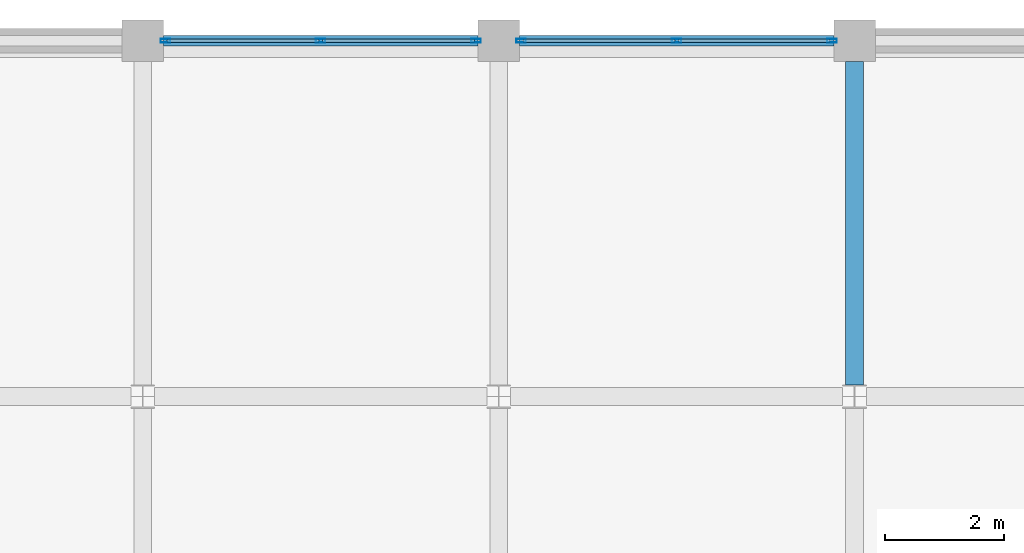
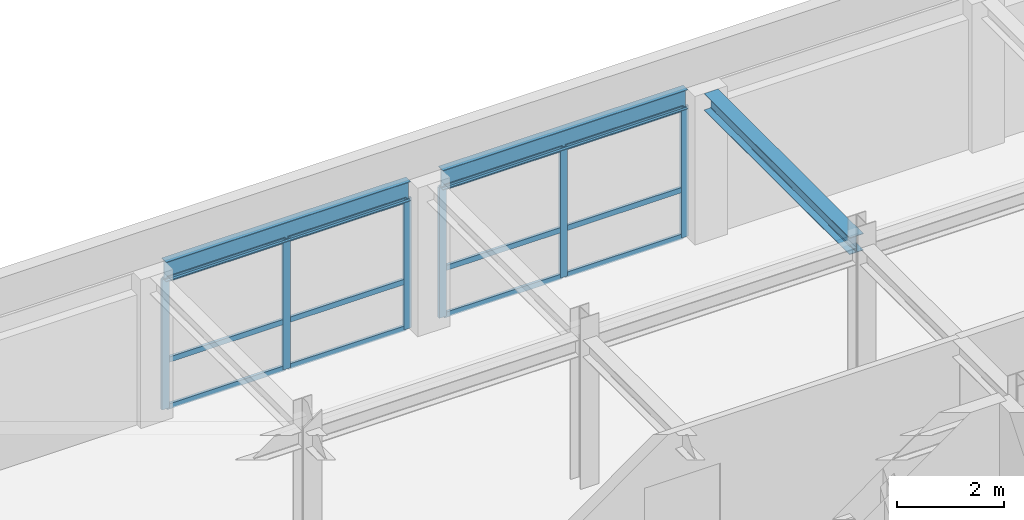
# One storey, part 8 of 12: 18 members, 3 beams, 2 elements without a shape of their own.
"""IFC4 building model written with IfcOpenShell, lengths in metres."""

from ifc_helpers import new_model, si_unit, direction, frame, origin, origin_2d, place, context, subcontext, project, spatial, hollow_rectangle, i_section, extrude, material, layer, layer_set, material_profile, profile_set, type_object, element, aggregate, save


model = new_model("IFC4")

# Units and contexts
model_context = context("Model", 3, precision=1e-05, world=origin(), true_north=direction((0.0, 1.0)))
body_context = subcontext(model_context, "Body", "Model", "MODEL_VIEW")
ifc_project = project(units=[si_unit("LENGTHUNIT", "METRE"), si_unit("AREAUNIT", "SQUARE_METRE"), si_unit("VOLUMEUNIT", "CUBIC_METRE"), si_unit("PLANEANGLEUNIT", "RADIAN"), si_unit("MASSUNIT", "GRAM", prefix="KILO")], contexts=[model_context])

# Site, building, storey
site_placement = place(None, origin())
site = spatial("IfcSite", under=ifc_project, at=site_placement, CompositionType="ELEMENT")
building_placement = place(site_placement, origin())
building = spatial("IfcBuilding", under=site, at=building_placement, Name="Zlatovratsky Civic Hall", CompositionType="ELEMENT")
storey_placement = place(building_placement, frame((0.0, 0.0, 32.699951171875)))
storey = spatial("IfcBuildingStorey", under=building, at=storey_placement, Name="L08", CompositionType="ELEMENT", Elevation=32.699951171875)

# Beams
ifc_material_1 = material(Name="Steel S355", Category="steel")
ifc_material_profile_1 = material_profile(ifc_material_1, i_section(OverallWidth=0.169921875, OverallDepth=0.446044921875, WebThickness=0.007568359375, FlangeThickness=0.010986328125, FilletRadius=0.01611328125, at=origin_2d()), Name="45B1")
ifc_profile_set_1 = profile_set([ifc_material_profile_1], Name="Steel S355")
beam_type_1 = type_object("IfcBeamType", Name="Beam_Spandrel_45B1", PredefinedType="SPANDREL", material=ifc_profile_set_1)
for number, where, z_axis, x_axis, name in (
    (1, (78.35009765625, 108.0, 3.177001953125), (1.0, 0.0, 0.0), (0.0, 1.0, 0.0), "BM-4443"),
    (2, (84.35009765625, 108.0, 3.177001953125), (1.0, 0.0, 0.0), (0.0, 1.0, 0.0), "BM-4444"),
):
    element("IfcBeam", number, at=place(storey_placement, frame(where, z_axis=z_axis, x_axis=x_axis)), inside=storey, type_object=beam_type_1, Name=name, PredefinedType="SPANDREL", context=body_context, shape_type="SweptSolid", body=[
        extrude(i_section(OverallWidth=0.169921875, OverallDepth=0.446044921875, WebThickness=0.007568359375, FlangeThickness=0.010986328125, FilletRadius=0.01611328125, at=origin_2d()), origin(), (0.0, 0.0, 1.0), 5.2998046875),
    ])
ifc_material_profile_2 = material_profile(ifc_material_1, i_section(OverallWidth=0.300048828125, OverallDepth=0.387939453125, WebThickness=0.009521484375, FlangeThickness=0.013916015625, FilletRadius=0.02197265625, at=origin_2d()), Name="40Sh1")
ifc_profile_set_2 = profile_set([ifc_material_profile_2], Name="Steel S355")
beam_type_2 = type_object("IfcBeamType", Name="Beam_TowerMid_40Sh1", PredefinedType="BEAM", material=ifc_profile_set_2)
beam_placement = place(storey_placement, frame((90.0, 102.197021484375, 3.2060546875), z_axis=(0.0, 1.0, 0.0), x_axis=(-1.0, 0.0, 0.0)))
element("IfcBeam", 3, at=beam_placement, inside=storey, type_object=beam_type_2, Name="BM-4490", PredefinedType="BEAM", context=body_context, shape_type="SweptSolid", body=[
    extrude(i_section(OverallWidth=0.300048828125, OverallDepth=0.387939453125, WebThickness=0.009521484375, FlangeThickness=0.013916015625, FilletRadius=0.02197265625, at=origin_2d()), origin(), (0.0, 0.0, 1.0), 5.452880859375),
])

# Curtain wall, members
ifc_material_2 = material(Name="Anodised bronze aluminium", Category="aluminium")
ifc_layer = layer(ifc_material_2, 0.159912109375)
ifc_layer_set = layer_set([ifc_layer], Name="Anodised bronze aluminium")
curtain_wall_type = type_object("IfcCurtainWallType", Name="CurtainWall_Bronze_5300x2980_22", PredefinedType="NOTDEFINED", material=ifc_layer_set)
curtain_wall_1_placement = place(storey_placement, origin())
curtain_wall_1 = element("IfcCurtainWall", 4, at=curtain_wall_1_placement, inside=storey, type_object=curtain_wall_type, Name="CW-143", PredefinedType="NOTDEFINED")
ifc_material_profile_3 = material_profile(ifc_material_2, hollow_rectangle(XDim=0.06005859375, YDim=0.159912109375, WallThickness=0.00390625, at=origin_2d()), Name="ALU 60x160x4")
ifc_profile_set_3 = profile_set([ifc_material_profile_3], Name="Anodised bronze aluminium")
member_type_1 = type_object("IfcMemberType", Name="CW_Mullion_60x160", PredefinedType="MULLION", material=ifc_profile_set_3)
member_1_placement = place(storey_placement, frame((78.3798828125, 108.0, 0.0), z_axis=(0.0, 0.0, 1.0), x_axis=(0.0, 1.0, 0.0)))
member_1 = element("IfcMember", 5, at=member_1_placement, type_object=member_type_1, Name="CW-22 mullion 1", PredefinedType="MULLION", context=body_context, shape_type="SweptSolid", body=[
    extrude(hollow_rectangle(XDim=0.06005859375, YDim=0.159912109375, WallThickness=0.00390625, at=origin_2d()), origin(), (0.0, 0.0, 1.0), 2.97998046875),
])
member_2_placement = place(storey_placement, frame((81.0, 108.0, 0.0), z_axis=(0.0, 0.0, 1.0), x_axis=(0.0, 1.0, 0.0)))
member_2 = element("IfcMember", 6, at=member_2_placement, type_object=member_type_1, Name="CW-22 mullion 2", PredefinedType="MULLION", context=body_context, shape_type="SweptSolid", body=[
    extrude(hollow_rectangle(XDim=0.06005859375, YDim=0.159912109375, WallThickness=0.00390625, at=origin_2d()), origin(), (0.0, 0.0, 1.0), 2.97998046875),
])
member_3_placement = place(storey_placement, frame((83.6201171875, 108.0, 0.0), z_axis=(0.0, 0.0, 1.0), x_axis=(0.0, 1.0, 0.0)))
member_3 = element("IfcMember", 7, at=member_3_placement, type_object=member_type_1, Name="CW-22 mullion 3", PredefinedType="MULLION", context=body_context, shape_type="SweptSolid", body=[
    extrude(hollow_rectangle(XDim=0.06005859375, YDim=0.159912109375, WallThickness=0.00390625, at=origin_2d()), origin(), (0.0, 0.0, 1.0), 2.97998046875),
])

curtain_wall_2_placement = place(storey_placement, origin())
curtain_wall_2 = element("IfcCurtainWall", 8, at=curtain_wall_2_placement, inside=storey, type_object=curtain_wall_type, Name="CW-144", PredefinedType="NOTDEFINED")
member_4_placement = place(storey_placement, frame((84.3798828125, 108.0, 0.0), z_axis=(0.0, 0.0, 1.0), x_axis=(0.0, 1.0, 0.0)))
member_4 = element("IfcMember", 9, at=member_4_placement, type_object=member_type_1, Name="CW-22 mullion 1", PredefinedType="MULLION", context=body_context, shape_type="SweptSolid", body=[
    extrude(hollow_rectangle(XDim=0.06005859375, YDim=0.159912109375, WallThickness=0.00390625, at=origin_2d()), origin(), (0.0, 0.0, 1.0), 2.97998046875),
])
member_5_placement = place(storey_placement, frame((87.0, 108.0, 0.0), z_axis=(0.0, 0.0, 1.0), x_axis=(0.0, 1.0, 0.0)))
member_5 = element("IfcMember", 10, at=member_5_placement, type_object=member_type_1, Name="CW-22 mullion 2", PredefinedType="MULLION", context=body_context, shape_type="SweptSolid", body=[
    extrude(hollow_rectangle(XDim=0.06005859375, YDim=0.159912109375, WallThickness=0.00390625, at=origin_2d()), origin(), (0.0, 0.0, 1.0), 2.97998046875),
])
member_6_placement = place(storey_placement, frame((89.6201171875, 108.0, 0.0), z_axis=(0.0, 0.0, 1.0), x_axis=(0.0, 1.0, 0.0)))
member_6 = element("IfcMember", 11, at=member_6_placement, type_object=member_type_1, Name="CW-22 mullion 3", PredefinedType="MULLION", context=body_context, shape_type="SweptSolid", body=[
    extrude(hollow_rectangle(XDim=0.06005859375, YDim=0.159912109375, WallThickness=0.00390625, at=origin_2d()), origin(), (0.0, 0.0, 1.0), 2.97998046875),
])

# Member
ifc_material_profile_4 = material_profile(ifc_material_2, hollow_rectangle(XDim=0.06005859375, YDim=0.1201171875, WallThickness=0.00390625, at=origin_2d()), Name="ALU 60x120x4")
ifc_profile_set_4 = profile_set([ifc_material_profile_4], Name="Anodised bronze aluminium")
member_type_2 = type_object("IfcMemberType", Name="CW_Transom_60x120", PredefinedType="USERDEFINED", material=ifc_profile_set_4)
member_7_placement = place(storey_placement, frame((78.409912109375, 108.0, 0.030029296875), z_axis=(1.0, 0.0, 0.0), x_axis=(0.0, 1.0, 0.0)))
member_7 = element("IfcMember", 12, at=member_7_placement, type_object=member_type_2, Name="CW-22 transom 1.1", ObjectType="TRANSOM", PredefinedType="USERDEFINED", context=body_context, shape_type="SweptSolid", body=[
    extrude(hollow_rectangle(XDim=0.06005859375, YDim=0.1201171875, WallThickness=0.00390625, at=origin_2d()), origin(), (0.0, 0.0, 1.0), 2.56005859375),
])

member_8_placement = place(storey_placement, frame((78.409912109375, 108.0, 1.10009765625), z_axis=(1.0, 0.0, 0.0), x_axis=(0.0, 1.0, 0.0)))
member_8 = element("IfcMember", 13, at=member_8_placement, type_object=member_type_2, Name="CW-22 transom 1.2", ObjectType="TRANSOM", PredefinedType="USERDEFINED", context=body_context, shape_type="SweptSolid", body=[
    extrude(hollow_rectangle(XDim=0.06005859375, YDim=0.1201171875, WallThickness=0.00390625, at=origin_2d()), origin(), (0.0, 0.0, 1.0), 2.56005859375),
])

member_9_placement = place(storey_placement, frame((78.409912109375, 108.0, 2.949951171875), z_axis=(1.0, 0.0, 0.0), x_axis=(0.0, 1.0, 0.0)))
member_9 = element("IfcMember", 14, at=member_9_placement, type_object=member_type_2, Name="CW-22 transom 1.3", ObjectType="TRANSOM", PredefinedType="USERDEFINED", context=body_context, shape_type="SweptSolid", body=[
    extrude(hollow_rectangle(XDim=0.06005859375, YDim=0.1201171875, WallThickness=0.00390625, at=origin_2d()), origin(), (0.0, 0.0, 1.0), 2.56005859375),
])

member_10_placement = place(storey_placement, frame((81.030029296875, 108.0, 0.030029296875), z_axis=(1.0, 0.0, 0.0), x_axis=(0.0, 1.0, 0.0)))
member_10 = element("IfcMember", 15, at=member_10_placement, type_object=member_type_2, Name="CW-22 transom 2.1", ObjectType="TRANSOM", PredefinedType="USERDEFINED", context=body_context, shape_type="SweptSolid", body=[
    extrude(hollow_rectangle(XDim=0.06005859375, YDim=0.1201171875, WallThickness=0.00390625, at=origin_2d()), origin(), (0.0, 0.0, 1.0), 2.56005859375),
])

member_11_placement = place(storey_placement, frame((81.030029296875, 108.0, 1.10009765625), z_axis=(1.0, 0.0, 0.0), x_axis=(0.0, 1.0, 0.0)))
member_11 = element("IfcMember", 16, at=member_11_placement, type_object=member_type_2, Name="CW-22 transom 2.2", ObjectType="TRANSOM", PredefinedType="USERDEFINED", context=body_context, shape_type="SweptSolid", body=[
    extrude(hollow_rectangle(XDim=0.06005859375, YDim=0.1201171875, WallThickness=0.00390625, at=origin_2d()), origin(), (0.0, 0.0, 1.0), 2.56005859375),
])

member_12_placement = place(storey_placement, frame((81.030029296875, 108.0, 2.949951171875), z_axis=(1.0, 0.0, 0.0), x_axis=(0.0, 1.0, 0.0)))
member_12 = element("IfcMember", 17, at=member_12_placement, type_object=member_type_2, Name="CW-22 transom 2.3", ObjectType="TRANSOM", PredefinedType="USERDEFINED", context=body_context, shape_type="SweptSolid", body=[
    extrude(hollow_rectangle(XDim=0.06005859375, YDim=0.1201171875, WallThickness=0.00390625, at=origin_2d()), origin(), (0.0, 0.0, 1.0), 2.56005859375),
])

aggregate(curtain_wall_1, [member_1, member_2, member_3, member_7, member_8, member_9, member_10, member_11, member_12])

member_13_placement = place(storey_placement, frame((84.409912109375, 108.0, 0.030029296875), z_axis=(1.0, 0.0, 0.0), x_axis=(0.0, 1.0, 0.0)))
member_13 = element("IfcMember", 18, at=member_13_placement, type_object=member_type_2, Name="CW-22 transom 1.1", ObjectType="TRANSOM", PredefinedType="USERDEFINED", context=body_context, shape_type="SweptSolid", body=[
    extrude(hollow_rectangle(XDim=0.06005859375, YDim=0.1201171875, WallThickness=0.00390625, at=origin_2d()), origin(), (0.0, 0.0, 1.0), 2.56005859375),
])

member_14_placement = place(storey_placement, frame((84.409912109375, 108.0, 1.10009765625), z_axis=(1.0, 0.0, 0.0), x_axis=(0.0, 1.0, 0.0)))
member_14 = element("IfcMember", 19, at=member_14_placement, type_object=member_type_2, Name="CW-22 transom 1.2", ObjectType="TRANSOM", PredefinedType="USERDEFINED", context=body_context, shape_type="SweptSolid", body=[
    extrude(hollow_rectangle(XDim=0.06005859375, YDim=0.1201171875, WallThickness=0.00390625, at=origin_2d()), origin(), (0.0, 0.0, 1.0), 2.56005859375),
])

member_15_placement = place(storey_placement, frame((84.409912109375, 108.0, 2.949951171875), z_axis=(1.0, 0.0, 0.0), x_axis=(0.0, 1.0, 0.0)))
member_15 = element("IfcMember", 20, at=member_15_placement, type_object=member_type_2, Name="CW-22 transom 1.3", ObjectType="TRANSOM", PredefinedType="USERDEFINED", context=body_context, shape_type="SweptSolid", body=[
    extrude(hollow_rectangle(XDim=0.06005859375, YDim=0.1201171875, WallThickness=0.00390625, at=origin_2d()), origin(), (0.0, 0.0, 1.0), 2.56005859375),
])

member_16_placement = place(storey_placement, frame((87.030029296875, 108.0, 0.030029296875), z_axis=(1.0, 0.0, 0.0), x_axis=(0.0, 1.0, 0.0)))
member_16 = element("IfcMember", 21, at=member_16_placement, type_object=member_type_2, Name="CW-22 transom 2.1", ObjectType="TRANSOM", PredefinedType="USERDEFINED", context=body_context, shape_type="SweptSolid", body=[
    extrude(hollow_rectangle(XDim=0.06005859375, YDim=0.1201171875, WallThickness=0.00390625, at=origin_2d()), origin(), (0.0, 0.0, 1.0), 2.56005859375),
])

member_17_placement = place(storey_placement, frame((87.030029296875, 108.0, 1.10009765625), z_axis=(1.0, 0.0, 0.0), x_axis=(0.0, 1.0, 0.0)))
member_17 = element("IfcMember", 22, at=member_17_placement, type_object=member_type_2, Name="CW-22 transom 2.2", ObjectType="TRANSOM", PredefinedType="USERDEFINED", context=body_context, shape_type="SweptSolid", body=[
    extrude(hollow_rectangle(XDim=0.06005859375, YDim=0.1201171875, WallThickness=0.00390625, at=origin_2d()), origin(), (0.0, 0.0, 1.0), 2.56005859375),
])

member_18_placement = place(storey_placement, frame((87.030029296875, 108.0, 2.949951171875), z_axis=(1.0, 0.0, 0.0), x_axis=(0.0, 1.0, 0.0)))
member_18 = element("IfcMember", 23, at=member_18_placement, type_object=member_type_2, Name="CW-22 transom 2.3", ObjectType="TRANSOM", PredefinedType="USERDEFINED", context=body_context, shape_type="SweptSolid", body=[
    extrude(hollow_rectangle(XDim=0.06005859375, YDim=0.1201171875, WallThickness=0.00390625, at=origin_2d()), origin(), (0.0, 0.0, 1.0), 2.56005859375),
])

aggregate(curtain_wall_2, [member_4, member_5, member_6, member_13, member_14, member_15, member_16, member_17, member_18])

save(model, "model.ifc")
